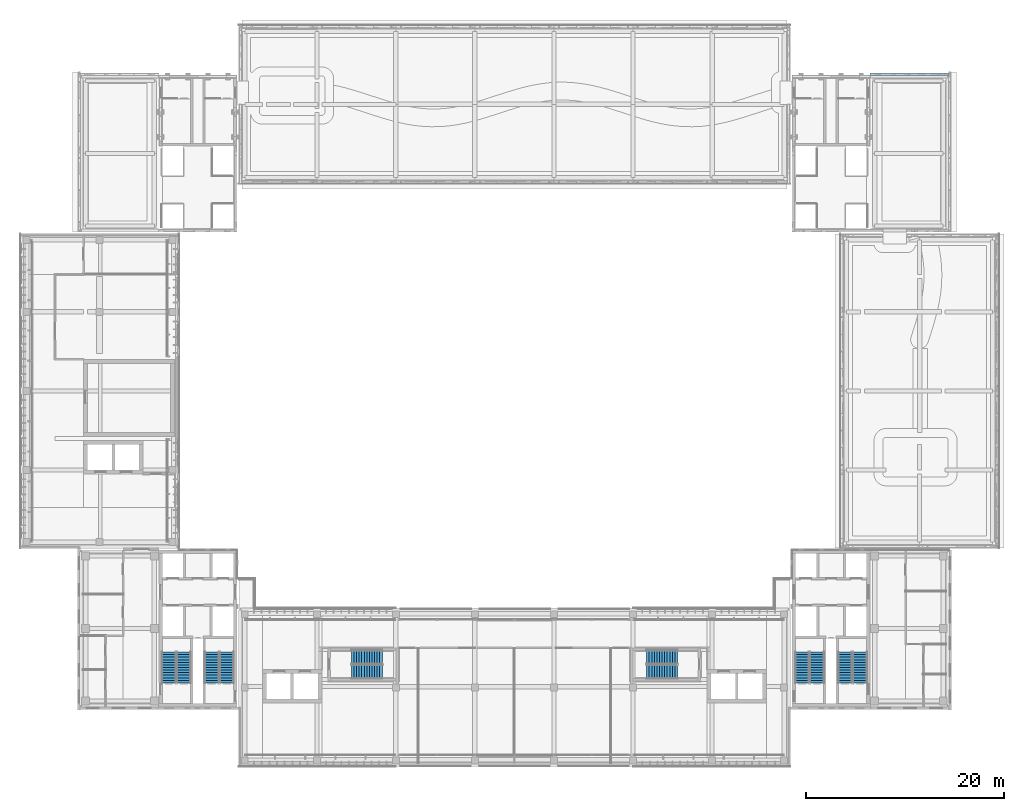
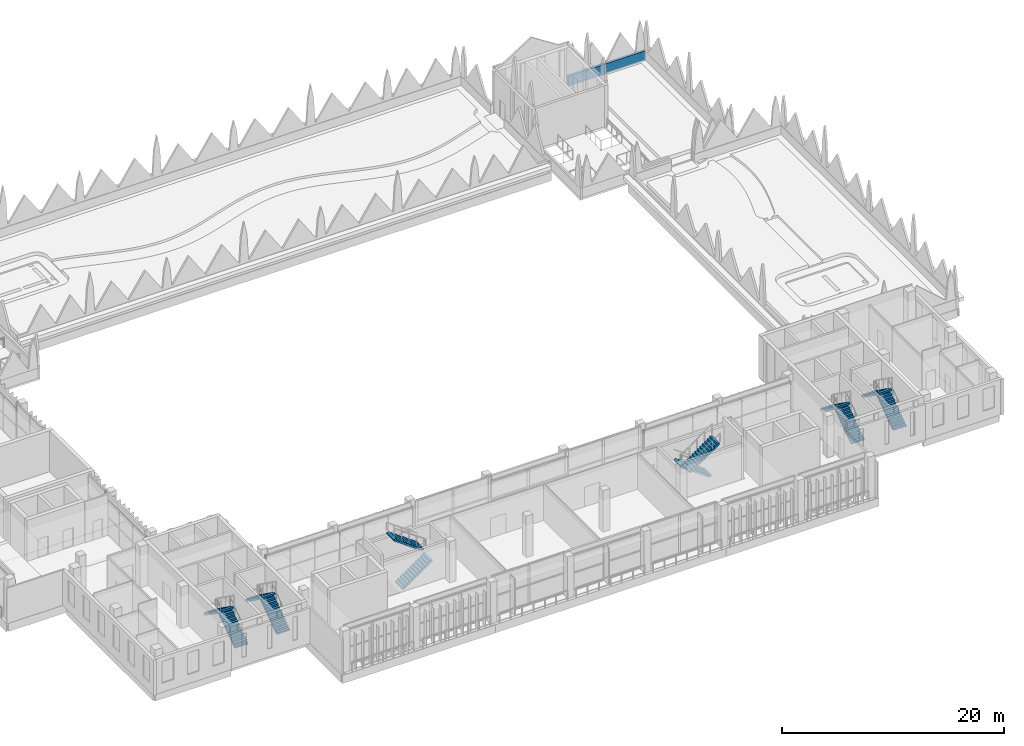
# One storey, part 29 of 46: 12 stair flights, 1 wall, 6 elements without a shape of their own.
"""IFC4 building model written with IfcOpenShell, lengths in metres."""

import ifcopenshell
import ifcopenshell.guid

model = None  # the IFC model being written
_history = None  # IfcOwnerHistory: only IFC2X3 demands one
_inside = {}  # id of a spatial element -> (the spatial element, [elements in it])
_under = {}  # id of a project, library or spatial element -> (it, [spatial elements below it])
_declared = {}  # id of a project -> (the project, [libraries it declares])
_typed = {}  # id of a type object -> (the type object, [elements of that type])
_made_of = {}  # id of a material, layer set ... -> (it, [elements and type objects made of it])


def new_model(schema):
    """Start an empty IFC model of exactly this schema.

    Asked for "IFC4X3", IfcOpenShell would pick the latest addendum, in which some entities
    have other attributes; the version numbers below select the first issue.
    IFC2X3 requires an IfcOwnerHistory on every rooted entity: one is made here for all.
    """
    global model, _history
    if schema == "IFC4X3":
        model = ifcopenshell.file(schema_version=(4, 3, 0, 0))
    else:
        model = ifcopenshell.file(schema=schema)
    _inside.clear()
    _under.clear()
    _declared.clear()
    _typed.clear()
    _made_of.clear()
    _history = None
    if model.schema == "IFC2X3":
        org = make("IfcOrganization", Name="unknown")
        user = make(
            "IfcPersonAndOrganization",
            ThePerson=make("IfcPerson", FamilyName="unknown"),
            TheOrganization=org,
        )
        app = make(
            "IfcApplication",
            ApplicationDeveloper=org,
            Version="unknown",
            ApplicationFullName="unknown",
            ApplicationIdentifier="unknown",
        )
        _history = make(
            "IfcOwnerHistory",
            OwningUser=user,
            OwningApplication=app,
            ChangeAction="ADDED",
            CreationDate=0,
        )
    return model


def make(cls, **values):
    """One entity of the class cls with the attributes given. An attribute that is None is left unset."""
    return model.create_entity(
        cls, **{name: value for name, value in values.items() if value is not None}
    )


def rooted(cls, **values):
    """An entity with a GlobalId (a new one), such as an element, a storey or a relation."""
    return make(cls, GlobalId=ifcopenshell.guid.new(), OwnerHistory=_history, **values)


def si_unit(unit_type, name, prefix=None):
    """IfcSIUnit, for example si_unit("LENGTHUNIT", "METRE", prefix="MILLI")."""
    return make("IfcSIUnit", UnitType=unit_type, Prefix=prefix, Name=name)


def assignment(units):
    """IfcUnitAssignment: the units of a project."""
    return None if units is None else make("IfcUnitAssignment", Units=units)


def point(xyz):
    """IfcCartesianPoint."""
    return None if xyz is None else make("IfcCartesianPoint", Coordinates=xyz)


def direction(xyz):
    """IfcDirection."""
    return None if xyz is None else make("IfcDirection", DirectionRatios=xyz)


def frame(location, z_axis=None, x_axis=None):
    """IfcAxis2Placement3D, a coordinate frame: its origin and axes. An axis left out is left unset."""
    return make(
        "IfcAxis2Placement3D",
        Location=point(location),
        Axis=direction(z_axis),
        RefDirection=direction(x_axis),
    )


def frame_2d(location, x_axis=None):
    """IfcAxis2Placement2D, a coordinate frame in the plane: its origin and x axis."""
    return make(
        "IfcAxis2Placement2D", Location=point(location), RefDirection=direction(x_axis)
    )


def origin():
    """The frame at (0, 0, 0) with its axes left unset."""
    return frame((0.0, 0.0, 0.0))


def place(relative_to, where):
    """IfcLocalPlacement: puts the frame where relative to a parent placement (None: the world)."""
    return make(
        "IfcLocalPlacement", PlacementRelTo=relative_to, RelativePlacement=where
    )


def context(
    kind, dimensions, precision=None, world=None, true_north=None, identifier=None
):
    """IfcGeometricRepresentationContext, for example the 3D "Model" context."""
    return make(
        "IfcGeometricRepresentationContext",
        ContextIdentifier=identifier,
        ContextType=kind,
        CoordinateSpaceDimension=dimensions,
        Precision=precision,
        WorldCoordinateSystem=world,
        TrueNorth=true_north,
    )


def subcontext(parent, identifier, kind, view, scale=None):
    """IfcGeometricRepresentationSubContext, for example "Body" below "Model"."""
    return make(
        "IfcGeometricRepresentationSubContext",
        ContextIdentifier=identifier,
        ContextType=kind,
        ParentContext=parent,
        TargetScale=scale,
        TargetView=view,
    )


def project(units=None, contexts=None):
    """IfcProject with its units and contexts."""
    return rooted(
        "IfcProject",
        Name="project",
        RepresentationContexts=contexts,
        UnitsInContext=assignment(units),
    )


def spatial(cls, under=None, at=None, **own):
    """A site, building, storey or space (cls), placed at a placement, below another one or the project."""
    s = rooted(cls, ObjectPlacement=at, **own)
    if under is not None:
        _under.setdefault(under.id(), (under, []))[1].append(s)
    return s


def polyline(points):
    """IfcPolyline through the points."""
    return make("IfcPolyline", Points=[point(p) for p in points])


def profile(cls, at=None, kind="AREA", **sizes):
    """A parametric profile (cls). Its sizes go by their IFC names, for example OverallWidth=200.0."""
    return make(cls, ProfileType=kind, Position=at, **sizes)


def rectangle(**sizes):
    """IfcRectangleProfileDef."""
    return profile("IfcRectangleProfileDef", **sizes)


def outline(outer, holes=None, kind="AREA"):
    """IfcArbitraryClosedProfileDef: a profile drawn as a closed curve; with holes, ...WithVoids."""
    if holes is None:
        return make("IfcArbitraryClosedProfileDef", ProfileType=kind, OuterCurve=outer)
    return make(
        "IfcArbitraryProfileDefWithVoids",
        ProfileType=kind,
        OuterCurve=outer,
        InnerCurves=holes,
    )


def extrude(swept, where, along, depth):
    """IfcExtrudedAreaSolid: the profile swept, set in the frame where, extruded along a direction by depth."""
    return make(
        "IfcExtrudedAreaSolid",
        SweptArea=swept,
        Position=where,
        ExtrudedDirection=direction(along),
        Depth=depth,
    )


def shape(context_of_items, identifier, shape_type, items):
    """IfcShapeRepresentation: the items that make up one representation, for example the "Body"."""
    return make(
        "IfcShapeRepresentation",
        ContextOfItems=context_of_items,
        RepresentationIdentifier=identifier,
        RepresentationType=shape_type,
        Items=items,
    )


def material(Name=None, Category=None):
    """IfcMaterial."""
    return make("IfcMaterial", Name=Name, Category=Category)


def layer(
    of_material, thickness, ventilated=None, Name=None, Category=None, Priority=None
):
    """IfcMaterialLayer: one layer of a wall or slab, of a material (None: an air gap)."""
    return make(
        "IfcMaterialLayer",
        Material=of_material,
        LayerThickness=thickness,
        IsVentilated=ventilated,
        Name=Name,
        Category=Category,
        Priority=Priority,
    )


def layer_set(layers, Name=None):
    """IfcMaterialLayerSet."""
    return make("IfcMaterialLayerSet", MaterialLayers=layers, LayerSetName=Name)


def made_of(thing, what):
    """Note that an element or type object is made of a material, layer set ...; save() writes the relation."""
    if what is not None:
        _made_of.setdefault(what.id(), (what, []))[1].append(thing)
    return thing


def type_object(cls, material=None, **own):
    """A type object (cls), such as IfcWallType, which elements share."""
    return made_of(rooted(cls, **own), material)


def element(
    cls,
    number,
    at=None,
    inside=None,
    cuts=None,
    type_object=None,
    material=None,
    context=None,
    identifier="Body",
    shape_type=None,
    held_by="IfcProductDefinitionShape",
    body=None,
    shapes=None,
    **own,
):
    """One element of the class cls, such as IfcWall. Its Tag is "e" and its number.

    at: its placement. inside: the storey or other place that contains it. cuts: it is an
    opening in that element (IfcRelVoidsElement). A single representation is given by context,
    identifier, shape_type and body (its items); several are given by shapes. held_by: the class
    of the entity that holds the representations. save() writes the other relations.
    """
    e = rooted(cls, Tag="e%d" % number, ObjectPlacement=at, **own)
    if body is not None:
        shapes = [shape(context, identifier, shape_type, body)]
    if shapes is not None:
        e.Representation = make(held_by, Representations=shapes)
    if inside is not None:
        _inside.setdefault(inside.id(), (inside, []))[1].append(e)
    if cuts is not None:
        rooted(
            "IfcRelVoidsElement", RelatingBuildingElement=cuts, RelatedOpeningElement=e
        )
    if type_object is not None:
        _typed.setdefault(type_object.id(), (type_object, []))[1].append(e)
    return made_of(e, material)


def aggregate(whole, parts):
    """IfcRelAggregates: a whole, such as a stair, and the parts it consists of."""
    return rooted("IfcRelAggregates", RelatingObject=whole, RelatedObjects=parts)


def save(model, path):
    """Write the relations noted so far, then the file.

    IfcRelAggregates (storeys below a building ...), IfcRelContainedInSpatialStructure (elements
    in a storey), IfcRelDefinesByType, IfcRelAssociatesMaterial and IfcRelDeclares: one each for
    every whole, place, type object, material and project.
    """
    for whole, parts in _under.values():
        aggregate(whole, parts)
    for where, things in _inside.values():
        rooted(
            "IfcRelContainedInSpatialStructure",
            RelatedElements=things,
            RelatingStructure=where,
        )
    for kind, things in _typed.values():
        rooted("IfcRelDefinesByType", RelatedObjects=things, RelatingType=kind)
    for what, things in _made_of.values():
        rooted("IfcRelAssociatesMaterial", RelatedObjects=things, RelatingMaterial=what)
    for by, libraries in _declared.values():
        rooted("IfcRelDeclares", RelatingContext=by, RelatedDefinitions=libraries)
    model.write(path)


model = new_model("IFC4")

# Units and contexts
model_context = context("Model", 3, precision=1e-05, world=origin(), true_north=direction((0.0, 1.0)))
body_context = subcontext(model_context, "Body", "Model", "MODEL_VIEW")
ifc_project = project(units=[si_unit("LENGTHUNIT", "METRE"), si_unit("AREAUNIT", "SQUARE_METRE"), si_unit("VOLUMEUNIT", "CUBIC_METRE"), si_unit("PLANEANGLEUNIT", "RADIAN"), si_unit("MASSUNIT", "GRAM", prefix="KILO")], contexts=[model_context])

# Site, building, storey
site_placement = place(None, origin())
site = spatial("IfcSite", under=ifc_project, at=site_placement, CompositionType="ELEMENT")
building_placement = place(site_placement, origin())
building = spatial("IfcBuilding", under=site, at=building_placement, Name="Lantern Court Media Centre", CompositionType="ELEMENT")
storey_placement = place(building_placement, frame((0.0, 0.0, 28.800048828125)))
storey = spatial("IfcBuildingStorey", under=building, at=storey_placement, Name="L06", CompositionType="ELEMENT", Elevation=28.800048828125)

# Wall
ifc_material_1 = material(Name="Honed limestone cladding on blockwork", Category="masonry")
ifc_layer = layer(ifc_material_1, 0.25)
ifc_layer_set = layer_set([ifc_layer], Name="Honed limestone cladding on blockwork")
wall_type = type_object("IfcWallType", Name="Limestone parapet wall 250", PredefinedType="PARAPET", material=ifc_layer_set)
wall_placement = place(storey_placement, frame((88.0, 112.044921875, 0.0), z_axis=(0.0, 0.0, 1.0), x_axis=(1.0, 0.0, 0.0)))
element("IfcWall", 1, at=wall_placement, inside=storey, type_object=wall_type, Name="Limestone parapet NE N", PredefinedType="PARAPET", context=body_context, shape_type="SweptSolid", body=[
    extrude(rectangle(XDim=8.0, YDim=0.25, at=frame_2d((4.0, 0.0))), origin(), (0.0, 0.0, 1.0), 1.099853515625),
])

# Stair, stair flights
ifc_material_2 = material(Name="Concrete C40", Category="concrete")
stair_type = type_object("IfcStairType", Name="Exit stair 1350", PredefinedType="HALF_TURN_STAIR", material=ifc_material_2)
stair_1_placement = place(storey_placement, origin())
stair_1 = element("IfcStair", 2, at=stair_1_placement, inside=storey, type_object=stair_type, Name="L06 SW exit stair A", PredefinedType="HALF_TURN_STAIR")
stair_flight_type = type_object("IfcStairFlightType", Name="Stair flight RC 1350", PredefinedType="STRAIGHT", material=ifc_material_2)
stair_flight_1_placement = place(storey_placement, frame((18.52490234375, 50.449951171875, 0.0), z_axis=(0.0, 0.0, 1.0), x_axis=(0.0, 1.0, 0.0)))
stair_flight_1 = element("IfcStairFlight", 3, at=stair_flight_1_placement, type_object=stair_flight_type, Name="ST-SWA flight 1", NumberOfRisers=13, NumberOfTreads=12, PredefinedType="STRAIGHT", RiserHeight=0.184615385, TreadLength=0.26, context=body_context, shape_type="SweptSolid", body=[
    extrude(outline(polyline([(0.0, 0.0), (0.0, 0.1845703125), (0.260009765625, 0.1845703125), (0.260009765625, 0.369140625), (0.52001953125, 0.369140625), (0.52001953125, 0.553955078125), (0.780029296875, 0.553955078125), (0.780029296875, 0.738525390625), (1.0400390625, 0.738525390625), (1.0400390625, 0.923095703125), (1.300048828125, 0.923095703125), (1.300048828125, 1.107666015625), (1.56005859375, 1.107666015625), (1.56005859375, 1.292236328125), (1.820068359375, 1.292236328125), (1.820068359375, 1.476806640625), (2.080078125, 1.476806640625), (2.080078125, 1.66162109375), (2.340087890625, 1.66162109375), (2.340087890625, 1.84619140625), (2.60009765625, 1.84619140625), (2.60009765625, 2.03076171875), (2.860107421875, 2.03076171875), (2.860107421875, 2.21533203125), (3.1201171875, 2.21533203125), (3.1201171875, 2.39990234375), (3.1201171875, 2.031494140625), (0.259033203125, 0.0), (0.0, 0.0)])), frame((0.0, 0.675048828125, 0.0), z_axis=(0.0, -1.0, 0.0), x_axis=(1.0, 0.0, 0.0)), (0.0, 0.0, 1.0), 1.35009765625),
])
stair_flight_2_placement = place(storey_placement, frame((17.02490234375, 53.570068359375, 2.39990234375), z_axis=(0.0, 0.0, 1.0), x_axis=(0.0, -1.0, 0.0)))
stair_flight_2 = element("IfcStairFlight", 4, at=stair_flight_2_placement, type_object=stair_flight_type, Name="ST-SWA flight 2", NumberOfRisers=13, NumberOfTreads=12, PredefinedType="STRAIGHT", RiserHeight=0.184615385, TreadLength=0.26, context=body_context, shape_type="SweptSolid", body=[
    extrude(outline(polyline([(0.0, 0.0), (0.0, 0.1845703125), (0.260009765625, 0.1845703125), (0.260009765625, 0.369140625), (0.52001953125, 0.369140625), (0.52001953125, 0.553955078125), (0.780029296875, 0.553955078125), (0.780029296875, 0.738525390625), (1.0400390625, 0.738525390625), (1.0400390625, 0.923095703125), (1.300048828125, 0.923095703125), (1.300048828125, 1.107666015625), (1.56005859375, 1.107666015625), (1.56005859375, 1.292236328125), (1.820068359375, 1.292236328125), (1.820068359375, 1.476806640625), (2.080078125, 1.476806640625), (2.080078125, 1.66162109375), (2.340087890625, 1.66162109375), (2.340087890625, 1.84619140625), (2.60009765625, 1.84619140625), (2.60009765625, 2.03076171875), (2.860107421875, 2.03076171875), (2.860107421875, 2.21533203125), (3.1201171875, 2.21533203125), (3.1201171875, 2.39990234375), (3.1201171875, 2.031494140625), (0.259033203125, 0.0), (0.0, 0.0)])), frame((0.0, 0.675048828125, 0.0), z_axis=(0.0, -1.0, 0.0), x_axis=(1.0, 0.0, 0.0)), (0.0, 0.0, 1.0), 1.35009765625),
])
aggregate(stair_1, [stair_flight_1, stair_flight_2])

stair_2_placement = place(storey_placement, origin())
stair_2 = element("IfcStair", 5, at=stair_2_placement, inside=storey, type_object=stair_type, Name="L06 SW exit stair B", PredefinedType="HALF_TURN_STAIR")
stair_flight_3_placement = place(storey_placement, frame((22.875, 50.449951171875, 0.0), z_axis=(0.0, 0.0, 1.0), x_axis=(0.0, 1.0, 0.0)))
stair_flight_3 = element("IfcStairFlight", 6, at=stair_flight_3_placement, type_object=stair_flight_type, Name="ST-SWB flight 1", NumberOfRisers=13, NumberOfTreads=12, PredefinedType="STRAIGHT", RiserHeight=0.184615385, TreadLength=0.26, context=body_context, shape_type="SweptSolid", body=[
    extrude(outline(polyline([(0.0, 0.0), (0.0, 0.1845703125), (0.260009765625, 0.1845703125), (0.260009765625, 0.369140625), (0.52001953125, 0.369140625), (0.52001953125, 0.553955078125), (0.780029296875, 0.553955078125), (0.780029296875, 0.738525390625), (1.0400390625, 0.738525390625), (1.0400390625, 0.923095703125), (1.300048828125, 0.923095703125), (1.300048828125, 1.107666015625), (1.56005859375, 1.107666015625), (1.56005859375, 1.292236328125), (1.820068359375, 1.292236328125), (1.820068359375, 1.476806640625), (2.080078125, 1.476806640625), (2.080078125, 1.66162109375), (2.340087890625, 1.66162109375), (2.340087890625, 1.84619140625), (2.60009765625, 1.84619140625), (2.60009765625, 2.03076171875), (2.860107421875, 2.03076171875), (2.860107421875, 2.21533203125), (3.1201171875, 2.21533203125), (3.1201171875, 2.39990234375), (3.1201171875, 2.031494140625), (0.259033203125, 0.0), (0.0, 0.0)])), frame((0.0, 0.675048828125, 0.0), z_axis=(0.0, -1.0, 0.0), x_axis=(1.0, 0.0, 0.0)), (0.0, 0.0, 1.0), 1.35009765625),
])
stair_flight_4_placement = place(storey_placement, frame((21.375, 53.570068359375, 2.39990234375), z_axis=(0.0, 0.0, 1.0), x_axis=(0.0, -1.0, 0.0)))
stair_flight_4 = element("IfcStairFlight", 7, at=stair_flight_4_placement, type_object=stair_flight_type, Name="ST-SWB flight 2", NumberOfRisers=13, NumberOfTreads=12, PredefinedType="STRAIGHT", RiserHeight=0.184615385, TreadLength=0.26, context=body_context, shape_type="SweptSolid", body=[
    extrude(outline(polyline([(0.0, 0.0), (0.0, 0.1845703125), (0.260009765625, 0.1845703125), (0.260009765625, 0.369140625), (0.52001953125, 0.369140625), (0.52001953125, 0.553955078125), (0.780029296875, 0.553955078125), (0.780029296875, 0.738525390625), (1.0400390625, 0.738525390625), (1.0400390625, 0.923095703125), (1.300048828125, 0.923095703125), (1.300048828125, 1.107666015625), (1.56005859375, 1.107666015625), (1.56005859375, 1.292236328125), (1.820068359375, 1.292236328125), (1.820068359375, 1.476806640625), (2.080078125, 1.476806640625), (2.080078125, 1.66162109375), (2.340087890625, 1.66162109375), (2.340087890625, 1.84619140625), (2.60009765625, 1.84619140625), (2.60009765625, 2.03076171875), (2.860107421875, 2.03076171875), (2.860107421875, 2.21533203125), (3.1201171875, 2.21533203125), (3.1201171875, 2.39990234375), (3.1201171875, 2.031494140625), (0.259033203125, 0.0), (0.0, 0.0)])), frame((0.0, 0.675048828125, 0.0), z_axis=(0.0, -1.0, 0.0), x_axis=(1.0, 0.0, 0.0)), (0.0, 0.0, 1.0), 1.35009765625),
])
aggregate(stair_2, [stair_flight_3, stair_flight_4])

stair_3_placement = place(storey_placement, origin())
stair_3 = element("IfcStair", 8, at=stair_3_placement, inside=storey, type_object=stair_type, Name="L06 SE exit stair A", PredefinedType="HALF_TURN_STAIR")
stair_flight_5_placement = place(storey_placement, frame((86.97509765625, 50.449951171875, 0.0), z_axis=(0.0, 0.0, 1.0), x_axis=(0.0, 1.0, 0.0)))
stair_flight_5 = element("IfcStairFlight", 9, at=stair_flight_5_placement, type_object=stair_flight_type, Name="ST-SEA flight 1", NumberOfRisers=13, NumberOfTreads=12, PredefinedType="STRAIGHT", RiserHeight=0.184615385, TreadLength=0.26, context=body_context, shape_type="SweptSolid", body=[
    extrude(outline(polyline([(0.0, 0.0), (0.0, 0.1845703125), (0.260009765625, 0.1845703125), (0.260009765625, 0.369140625), (0.52001953125, 0.369140625), (0.52001953125, 0.553955078125), (0.780029296875, 0.553955078125), (0.780029296875, 0.738525390625), (1.0400390625, 0.738525390625), (1.0400390625, 0.923095703125), (1.300048828125, 0.923095703125), (1.300048828125, 1.107666015625), (1.56005859375, 1.107666015625), (1.56005859375, 1.292236328125), (1.820068359375, 1.292236328125), (1.820068359375, 1.476806640625), (2.080078125, 1.476806640625), (2.080078125, 1.66162109375), (2.340087890625, 1.66162109375), (2.340087890625, 1.84619140625), (2.60009765625, 1.84619140625), (2.60009765625, 2.03076171875), (2.860107421875, 2.03076171875), (2.860107421875, 2.21533203125), (3.1201171875, 2.21533203125), (3.1201171875, 2.39990234375), (3.1201171875, 2.031494140625), (0.259033203125, 0.0), (0.0, 0.0)])), frame((0.0, 0.675048828125, 0.0), z_axis=(0.0, -1.0, 0.0), x_axis=(1.0, 0.0, 0.0)), (0.0, 0.0, 1.0), 1.35009765625),
])
stair_flight_6_placement = place(storey_placement, frame((85.47509765625, 53.570068359375, 2.39990234375), z_axis=(0.0, 0.0, 1.0), x_axis=(0.0, -1.0, 0.0)))
stair_flight_6 = element("IfcStairFlight", 10, at=stair_flight_6_placement, type_object=stair_flight_type, Name="ST-SEA flight 2", NumberOfRisers=13, NumberOfTreads=12, PredefinedType="STRAIGHT", RiserHeight=0.184615385, TreadLength=0.26, context=body_context, shape_type="SweptSolid", body=[
    extrude(outline(polyline([(0.0, 0.0), (0.0, 0.1845703125), (0.260009765625, 0.1845703125), (0.260009765625, 0.369140625), (0.52001953125, 0.369140625), (0.52001953125, 0.553955078125), (0.780029296875, 0.553955078125), (0.780029296875, 0.738525390625), (1.0400390625, 0.738525390625), (1.0400390625, 0.923095703125), (1.300048828125, 0.923095703125), (1.300048828125, 1.107666015625), (1.56005859375, 1.107666015625), (1.56005859375, 1.292236328125), (1.820068359375, 1.292236328125), (1.820068359375, 1.476806640625), (2.080078125, 1.476806640625), (2.080078125, 1.66162109375), (2.340087890625, 1.66162109375), (2.340087890625, 1.84619140625), (2.60009765625, 1.84619140625), (2.60009765625, 2.03076171875), (2.860107421875, 2.03076171875), (2.860107421875, 2.21533203125), (3.1201171875, 2.21533203125), (3.1201171875, 2.39990234375), (3.1201171875, 2.031494140625), (0.259033203125, 0.0), (0.0, 0.0)])), frame((0.0, 0.675048828125, 0.0), z_axis=(0.0, -1.0, 0.0), x_axis=(1.0, 0.0, 0.0)), (0.0, 0.0, 1.0), 1.35009765625),
])
aggregate(stair_3, [stair_flight_5, stair_flight_6])

stair_4_placement = place(storey_placement, origin())
stair_4 = element("IfcStair", 11, at=stair_4_placement, inside=storey, type_object=stair_type, Name="L06 SE exit stair B", PredefinedType="HALF_TURN_STAIR")
stair_flight_7_placement = place(storey_placement, frame((82.625, 50.449951171875, 0.0), z_axis=(0.0, 0.0, 1.0), x_axis=(0.0, 1.0, 0.0)))
stair_flight_7 = element("IfcStairFlight", 12, at=stair_flight_7_placement, type_object=stair_flight_type, Name="ST-SEB flight 1", NumberOfRisers=13, NumberOfTreads=12, PredefinedType="STRAIGHT", RiserHeight=0.184615385, TreadLength=0.26, context=body_context, shape_type="SweptSolid", body=[
    extrude(outline(polyline([(0.0, 0.0), (0.0, 0.1845703125), (0.260009765625, 0.1845703125), (0.260009765625, 0.369140625), (0.52001953125, 0.369140625), (0.52001953125, 0.553955078125), (0.780029296875, 0.553955078125), (0.780029296875, 0.738525390625), (1.0400390625, 0.738525390625), (1.0400390625, 0.923095703125), (1.300048828125, 0.923095703125), (1.300048828125, 1.107666015625), (1.56005859375, 1.107666015625), (1.56005859375, 1.292236328125), (1.820068359375, 1.292236328125), (1.820068359375, 1.476806640625), (2.080078125, 1.476806640625), (2.080078125, 1.66162109375), (2.340087890625, 1.66162109375), (2.340087890625, 1.84619140625), (2.60009765625, 1.84619140625), (2.60009765625, 2.03076171875), (2.860107421875, 2.03076171875), (2.860107421875, 2.21533203125), (3.1201171875, 2.21533203125), (3.1201171875, 2.39990234375), (3.1201171875, 2.031494140625), (0.259033203125, 0.0), (0.0, 0.0)])), frame((0.0, 0.675048828125, 0.0), z_axis=(0.0, -1.0, 0.0), x_axis=(1.0, 0.0, 0.0)), (0.0, 0.0, 1.0), 1.35009765625),
])
stair_flight_8_placement = place(storey_placement, frame((81.125, 53.570068359375, 2.39990234375), z_axis=(0.0, 0.0, 1.0), x_axis=(0.0, -1.0, 0.0)))
stair_flight_8 = element("IfcStairFlight", 13, at=stair_flight_8_placement, type_object=stair_flight_type, Name="ST-SEB flight 2", NumberOfRisers=13, NumberOfTreads=12, PredefinedType="STRAIGHT", RiserHeight=0.184615385, TreadLength=0.26, context=body_context, shape_type="SweptSolid", body=[
    extrude(outline(polyline([(0.0, 0.0), (0.0, 0.1845703125), (0.260009765625, 0.1845703125), (0.260009765625, 0.369140625), (0.52001953125, 0.369140625), (0.52001953125, 0.553955078125), (0.780029296875, 0.553955078125), (0.780029296875, 0.738525390625), (1.0400390625, 0.738525390625), (1.0400390625, 0.923095703125), (1.300048828125, 0.923095703125), (1.300048828125, 1.107666015625), (1.56005859375, 1.107666015625), (1.56005859375, 1.292236328125), (1.820068359375, 1.292236328125), (1.820068359375, 1.476806640625), (2.080078125, 1.476806640625), (2.080078125, 1.66162109375), (2.340087890625, 1.66162109375), (2.340087890625, 1.84619140625), (2.60009765625, 1.84619140625), (2.60009765625, 2.03076171875), (2.860107421875, 2.03076171875), (2.860107421875, 2.21533203125), (3.1201171875, 2.21533203125), (3.1201171875, 2.39990234375), (3.1201171875, 2.031494140625), (0.259033203125, 0.0), (0.0, 0.0)])), frame((0.0, 0.675048828125, 0.0), z_axis=(0.0, -1.0, 0.0), x_axis=(1.0, 0.0, 0.0)), (0.0, 0.0, 1.0), 1.35009765625),
])
aggregate(stair_4, [stair_flight_7, stair_flight_8])

stair_5_placement = place(storey_placement, origin())
stair_5 = element("IfcStair", 14, at=stair_5_placement, inside=storey, type_object=stair_type, Name="L06 V3-ST-W exit stair", PredefinedType="HALF_TURN_STAIR")
stair_flight_9_placement = place(storey_placement, frame((35.5, 51.574951171875, 0.0), z_axis=(0.0, 0.0, 1.0), x_axis=(1.0, 0.0, 0.0)))
stair_flight_9 = element("IfcStairFlight", 15, at=stair_flight_9_placement, type_object=stair_flight_type, Name="ST-V3-ST-W flight 1", NumberOfRisers=13, NumberOfTreads=12, PredefinedType="STRAIGHT", RiserHeight=0.184615385, TreadLength=0.26, context=body_context, shape_type="SweptSolid", body=[
    extrude(outline(polyline([(0.0, 0.0), (0.0, 0.1845703125), (0.260009765625, 0.1845703125), (0.260009765625, 0.369140625), (0.52001953125, 0.369140625), (0.52001953125, 0.553955078125), (0.780029296875, 0.553955078125), (0.780029296875, 0.738525390625), (1.0400390625, 0.738525390625), (1.0400390625, 0.923095703125), (1.300048828125, 0.923095703125), (1.300048828125, 1.107666015625), (1.56005859375, 1.107666015625), (1.56005859375, 1.292236328125), (1.820068359375, 1.292236328125), (1.820068359375, 1.476806640625), (2.080078125, 1.476806640625), (2.080078125, 1.66162109375), (2.340087890625, 1.66162109375), (2.340087890625, 1.84619140625), (2.60009765625, 1.84619140625), (2.60009765625, 2.03076171875), (2.860107421875, 2.03076171875), (2.860107421875, 2.21533203125), (3.1201171875, 2.21533203125), (3.1201171875, 2.39990234375), (3.1201171875, 2.031494140625), (0.259033203125, 0.0), (0.0, 0.0)])), frame((0.0, 0.675048828125, 0.0), z_axis=(0.0, -1.0, 0.0), x_axis=(1.0, 0.0, 0.0)), (0.0, 0.0, 1.0), 1.35009765625),
])
stair_flight_10_placement = place(storey_placement, frame((38.6201171875, 53.074951171875, 2.39990234375), z_axis=(0.0, 0.0, 1.0), x_axis=(-1.0, 0.0, 0.0)))
stair_flight_10 = element("IfcStairFlight", 16, at=stair_flight_10_placement, type_object=stair_flight_type, Name="ST-V3-ST-W flight 2", NumberOfRisers=13, NumberOfTreads=12, PredefinedType="STRAIGHT", RiserHeight=0.184615385, TreadLength=0.26, context=body_context, shape_type="SweptSolid", body=[
    extrude(outline(polyline([(0.0, 0.0), (0.0, 0.1845703125), (0.260009765625, 0.1845703125), (0.260009765625, 0.369140625), (0.52001953125, 0.369140625), (0.52001953125, 0.553955078125), (0.780029296875, 0.553955078125), (0.780029296875, 0.738525390625), (1.0400390625, 0.738525390625), (1.0400390625, 0.923095703125), (1.300048828125, 0.923095703125), (1.300048828125, 1.107666015625), (1.56005859375, 1.107666015625), (1.56005859375, 1.292236328125), (1.820068359375, 1.292236328125), (1.820068359375, 1.476806640625), (2.080078125, 1.476806640625), (2.080078125, 1.66162109375), (2.340087890625, 1.66162109375), (2.340087890625, 1.84619140625), (2.60009765625, 1.84619140625), (2.60009765625, 2.03076171875), (2.860107421875, 2.03076171875), (2.860107421875, 2.21533203125), (3.1201171875, 2.21533203125), (3.1201171875, 2.39990234375), (3.1201171875, 2.031494140625), (0.259033203125, 0.0), (0.0, 0.0)])), frame((0.0, 0.675048828125, 0.0), z_axis=(0.0, -1.0, 0.0), x_axis=(1.0, 0.0, 0.0)), (0.0, 0.0, 1.0), 1.35009765625),
])
aggregate(stair_5, [stair_flight_9, stair_flight_10])

stair_6_placement = place(storey_placement, origin())
stair_6 = element("IfcStair", 17, at=stair_6_placement, inside=storey, type_object=stair_type, Name="L06 V3-ST-E exit stair", PredefinedType="HALF_TURN_STAIR")
stair_flight_11_placement = place(storey_placement, frame((68.5, 53.074951171875, 0.0), z_axis=(0.0, 0.0, 1.0), x_axis=(-1.0, 0.0, 0.0)))
stair_flight_11 = element("IfcStairFlight", 18, at=stair_flight_11_placement, type_object=stair_flight_type, Name="ST-V3-ST-E flight 1", NumberOfRisers=13, NumberOfTreads=12, PredefinedType="STRAIGHT", RiserHeight=0.184615385, TreadLength=0.26, context=body_context, shape_type="SweptSolid", body=[
    extrude(outline(polyline([(0.0, 0.0), (0.0, 0.1845703125), (0.260009765625, 0.1845703125), (0.260009765625, 0.369140625), (0.52001953125, 0.369140625), (0.52001953125, 0.553955078125), (0.780029296875, 0.553955078125), (0.780029296875, 0.738525390625), (1.0400390625, 0.738525390625), (1.0400390625, 0.923095703125), (1.300048828125, 0.923095703125), (1.300048828125, 1.107666015625), (1.56005859375, 1.107666015625), (1.56005859375, 1.292236328125), (1.820068359375, 1.292236328125), (1.820068359375, 1.476806640625), (2.080078125, 1.476806640625), (2.080078125, 1.66162109375), (2.340087890625, 1.66162109375), (2.340087890625, 1.84619140625), (2.60009765625, 1.84619140625), (2.60009765625, 2.03076171875), (2.860107421875, 2.03076171875), (2.860107421875, 2.21533203125), (3.1201171875, 2.21533203125), (3.1201171875, 2.39990234375), (3.1201171875, 2.031494140625), (0.259033203125, 0.0), (0.0, 0.0)])), frame((0.0, 0.675048828125, 0.0), z_axis=(0.0, -1.0, 0.0), x_axis=(1.0, 0.0, 0.0)), (0.0, 0.0, 1.0), 1.35009765625),
])
stair_flight_12_placement = place(storey_placement, frame((65.3798828125, 51.574951171875, 2.39990234375), z_axis=(0.0, 0.0, 1.0), x_axis=(1.0, 0.0, 0.0)))
stair_flight_12 = element("IfcStairFlight", 19, at=stair_flight_12_placement, type_object=stair_flight_type, Name="ST-V3-ST-E flight 2", NumberOfRisers=13, NumberOfTreads=12, PredefinedType="STRAIGHT", RiserHeight=0.184615385, TreadLength=0.26, context=body_context, shape_type="SweptSolid", body=[
    extrude(outline(polyline([(0.0, 0.0), (0.0, 0.1845703125), (0.260009765625, 0.1845703125), (0.260009765625, 0.369140625), (0.52001953125, 0.369140625), (0.52001953125, 0.553955078125), (0.780029296875, 0.553955078125), (0.780029296875, 0.738525390625), (1.0400390625, 0.738525390625), (1.0400390625, 0.923095703125), (1.300048828125, 0.923095703125), (1.300048828125, 1.107666015625), (1.56005859375, 1.107666015625), (1.56005859375, 1.292236328125), (1.820068359375, 1.292236328125), (1.820068359375, 1.476806640625), (2.080078125, 1.476806640625), (2.080078125, 1.66162109375), (2.340087890625, 1.66162109375), (2.340087890625, 1.84619140625), (2.60009765625, 1.84619140625), (2.60009765625, 2.03076171875), (2.860107421875, 2.03076171875), (2.860107421875, 2.21533203125), (3.1201171875, 2.21533203125), (3.1201171875, 2.39990234375), (3.1201171875, 2.031494140625), (0.259033203125, 0.0), (0.0, 0.0)])), frame((0.0, 0.675048828125, 0.0), z_axis=(0.0, -1.0, 0.0), x_axis=(1.0, 0.0, 0.0)), (0.0, 0.0, 1.0), 1.35009765625),
])
aggregate(stair_6, [stair_flight_11, stair_flight_12])

save(model, "model.ifc")
